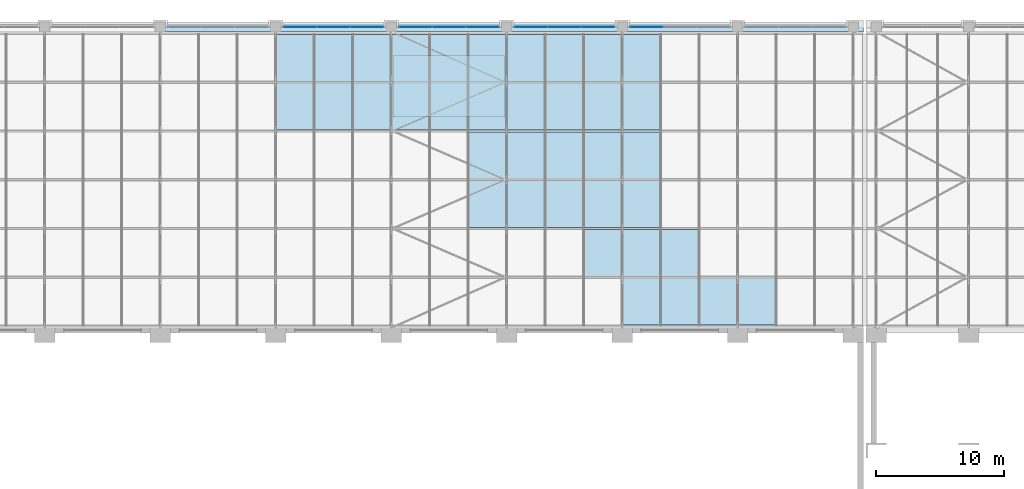
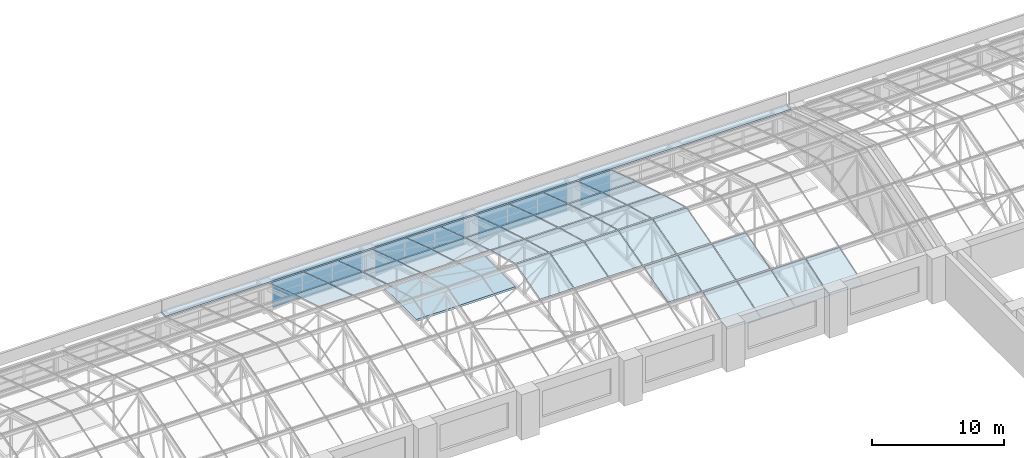
# One storey, part 49 of 82: 57 plates, 2 slabs, 5 elements without a shape of their own.
"""IFC4 building model written with IfcOpenShell, lengths in metres."""

from ifc_helpers import new_model, si_unit, direction, frame, origin, origin_2d, place, context, subcontext, project, spatial, polyline, rectangle, outline, extrude, material, layer, layer_set, type_object, element, aggregate, save


model = new_model("IFC4")

# Units and contexts
model_context = context("Model", 3, precision=1e-05, world=origin(), true_north=direction((0.0, 1.0)))
body_context = subcontext(model_context, "Body", "Model", "MODEL_VIEW")
ifc_project = project(units=[si_unit("LENGTHUNIT", "METRE"), si_unit("AREAUNIT", "SQUARE_METRE"), si_unit("VOLUMEUNIT", "CUBIC_METRE"), si_unit("PLANEANGLEUNIT", "RADIAN"), si_unit("MASSUNIT", "GRAM", prefix="KILO")], contexts=[model_context])

# Site, building, storey
site_placement = place(None, origin())
site = spatial("IfcSite", under=ifc_project, at=site_placement, CompositionType="ELEMENT")
building_placement = place(site_placement, origin())
building = spatial("IfcBuilding", under=site, at=building_placement, Name="Aravalli Gate Trade Fair Centre", CompositionType="ELEMENT")
storey_placement = place(building_placement, frame((0.0, 0.0, 19.199951171875)))
storey = spatial("IfcBuildingStorey", under=building, at=storey_placement, Name="L04", CompositionType="ELEMENT", Elevation=19.199951171875)

# Slabs
ifc_material_1 = material(Name="Concrete M40", Category="concrete")
ifc_layer_1 = layer(ifc_material_1, 0.199951171875)
ifc_layer_set_1 = layer_set([ifc_layer_1], Name="Concrete M40")
slab_type_1 = type_object("IfcSlabType", Name="Concourse core cover slab 200", PredefinedType="ROOF", material=ifc_layer_set_1)
slab_1_placement = place(storey_placement, origin())
element("IfcSlab", 1, at=slab_1_placement, inside=storey, type_object=slab_type_1, Name="Core cover slab XC", PredefinedType="ROOF", context=body_context, shape_type="SweptSolid", body=[
    extrude(outline(polyline([(69.14990234375, 126.0), (77.85009765625, 126.0), (77.85009765625, 130.800048828125), (69.14990234375, 130.800048828125), (69.14990234375, 126.0)])), origin(), (0.0, 0.0, 1.0), 0.199951171875),
])
ifc_material_2 = material(Name="Concrete M30", Category="concrete")
ifc_layer_2 = layer(ifc_material_2, 0.1201171875, Name="Concrete topping")
ifc_material_3 = material(Name="Steel E350", Category="steel")
ifc_layer_3 = layer(ifc_material_3, 0.030029296875, Name="Profiled deck sheet")
ifc_layer_set_2 = layer_set([ifc_layer_2, ifc_layer_3], Name="Concourse roof deck 150")
slab_type_2 = type_object("IfcSlabType", Name="Concourse roof deck 150", PredefinedType="ROOF", material=ifc_layer_set_2)
slab_2_placement = place(storey_placement, frame((0.0, 0.0, 2.699951171875)))
element("IfcSlab", 2, at=slab_2_placement, inside=storey, type_object=slab_type_2, Name="Concourse eaves deck 2", PredefinedType="ROOF", context=body_context, shape_type="SweptSolid", body=[
    extrude(outline(polyline([(105.800048828125, 133.39990234375), (51.02001953125, 133.39990234375), (51.02001953125, 132.60009765625), (105.800048828125, 132.60009765625), (105.800048828125, 133.39990234375)])), origin(), (0.0, 0.0, 1.0), 0.150146484375),
])

# Curtain wall, plates
ifc_material_4 = material(Name="Aluminium and glass", Category="aluminium")
curtain_wall_type_1 = type_object("IfcCurtainWallType", Name="Curtain wall 3000 module", PredefinedType="NOTDEFINED", material=ifc_material_4)
curtain_wall_1_placement = place(storey_placement, origin())
curtain_wall_1 = element("IfcCurtainWall", 3, at=curtain_wall_1_placement, inside=storey, type_object=curtain_wall_type_1, Name="Curtain wall north bay 7 L04", PredefinedType="NOTDEFINED")
ifc_material_5 = material(Name="Glass, double glazed", Category="glass")
ifc_layer_4 = layer(ifc_material_5, 0.028076171875)
ifc_layer_set_3 = layer_set([ifc_layer_4], Name="Glass, double glazed")
plate_type_1 = type_object("IfcPlateType", Name="Curtain wall panel, double glazed 28", PredefinedType="CURTAIN_PANEL", material=ifc_layer_set_3)
plate_1_placement = place(storey_placement, frame((61.881591796875, 133.0, 0.06005859375), z_axis=(0.0, 0.0, 1.0), x_axis=(1.0, 0.0, 0.0)))
plate_1 = element("IfcPlate", 4, at=plate_1_placement, type_object=plate_type_1, Name="CW1 panel 1.1", PredefinedType="CURTAIN_PANEL", context=body_context, shape_type="SweptSolid", body=[
    extrude(rectangle(XDim=2.543212890625, YDim=0.028076171875, at=origin_2d()), origin(), (0.0, 0.0, 1.0), 1.260009765625),
])
plate_2_placement = place(storey_placement, frame((61.881591796875, 133.0, 1.3798828125), z_axis=(0.0, 0.0, 1.0), x_axis=(1.0, 0.0, 0.0)))
plate_2 = element("IfcPlate", 5, at=plate_2_placement, type_object=plate_type_1, Name="CW1 panel 1.2", PredefinedType="CURTAIN_PANEL", context=body_context, shape_type="SweptSolid", body=[
    extrude(rectangle(XDim=2.543212890625, YDim=0.028076171875, at=origin_2d()), origin(), (0.0, 0.0, 1.0), 1.260009765625),
])
plate_3_placement = place(storey_placement, frame((64.5, 133.0, 0.06005859375), z_axis=(0.0, 0.0, 1.0), x_axis=(1.0, 0.0, 0.0)))
plate_3 = element("IfcPlate", 6, at=plate_3_placement, type_object=plate_type_1, Name="CW1 panel 2.1", PredefinedType="CURTAIN_PANEL", context=body_context, shape_type="SweptSolid", body=[
    extrude(rectangle(XDim=2.5732421875, YDim=0.028076171875, at=origin_2d()), origin(), (0.0, 0.0, 1.0), 1.260009765625),
])
plate_4_placement = place(storey_placement, frame((64.5, 133.0, 1.3798828125), z_axis=(0.0, 0.0, 1.0), x_axis=(1.0, 0.0, 0.0)))
plate_4 = element("IfcPlate", 7, at=plate_4_placement, type_object=plate_type_1, Name="CW1 panel 2.2", PredefinedType="CURTAIN_PANEL", context=body_context, shape_type="SweptSolid", body=[
    extrude(rectangle(XDim=2.5732421875, YDim=0.028076171875, at=origin_2d()), origin(), (0.0, 0.0, 1.0), 1.260009765625),
])
plate_5_placement = place(storey_placement, frame((67.118408203125, 133.0, 0.06005859375), z_axis=(0.0, 0.0, 1.0), x_axis=(1.0, 0.0, 0.0)))
plate_5 = element("IfcPlate", 8, at=plate_5_placement, type_object=plate_type_1, Name="CW1 panel 3.1", PredefinedType="CURTAIN_PANEL", context=body_context, shape_type="SweptSolid", body=[
    extrude(rectangle(XDim=2.543212890625, YDim=0.028076171875, at=origin_2d()), origin(), (0.0, 0.0, 1.0), 1.260009765625),
])
plate_6_placement = place(storey_placement, frame((67.118408203125, 133.0, 1.3798828125), z_axis=(0.0, 0.0, 1.0), x_axis=(1.0, 0.0, 0.0)))
plate_6 = element("IfcPlate", 9, at=plate_6_placement, type_object=plate_type_1, Name="CW1 panel 3.2", PredefinedType="CURTAIN_PANEL", context=body_context, shape_type="SweptSolid", body=[
    extrude(rectangle(XDim=2.543212890625, YDim=0.028076171875, at=origin_2d()), origin(), (0.0, 0.0, 1.0), 1.260009765625),
])
aggregate(curtain_wall_1, [plate_1, plate_2, plate_3, plate_4, plate_5, plate_6])

curtain_wall_2_placement = place(storey_placement, origin())
curtain_wall_2 = element("IfcCurtainWall", 10, at=curtain_wall_2_placement, inside=storey, type_object=curtain_wall_type_1, Name="Curtain wall north bay 8 L04", PredefinedType="NOTDEFINED")
plate_7_placement = place(storey_placement, frame((70.881591796875, 133.0, 0.06005859375), z_axis=(0.0, 0.0, 1.0), x_axis=(1.0, 0.0, 0.0)))
plate_7 = element("IfcPlate", 11, at=plate_7_placement, type_object=plate_type_1, Name="CW1 panel 1.1", PredefinedType="CURTAIN_PANEL", context=body_context, shape_type="SweptSolid", body=[
    extrude(rectangle(XDim=2.543212890625, YDim=0.028076171875, at=origin_2d()), origin(), (0.0, 0.0, 1.0), 1.260009765625),
])
plate_8_placement = place(storey_placement, frame((70.881591796875, 133.0, 1.3798828125), z_axis=(0.0, 0.0, 1.0), x_axis=(1.0, 0.0, 0.0)))
plate_8 = element("IfcPlate", 12, at=plate_8_placement, type_object=plate_type_1, Name="CW1 panel 1.2", PredefinedType="CURTAIN_PANEL", context=body_context, shape_type="SweptSolid", body=[
    extrude(rectangle(XDim=2.543212890625, YDim=0.028076171875, at=origin_2d()), origin(), (0.0, 0.0, 1.0), 1.260009765625),
])
plate_9_placement = place(storey_placement, frame((73.5, 133.0, 0.06005859375), z_axis=(0.0, 0.0, 1.0), x_axis=(1.0, 0.0, 0.0)))
plate_9 = element("IfcPlate", 13, at=plate_9_placement, type_object=plate_type_1, Name="CW1 panel 2.1", PredefinedType="CURTAIN_PANEL", context=body_context, shape_type="SweptSolid", body=[
    extrude(rectangle(XDim=2.5732421875, YDim=0.028076171875, at=origin_2d()), origin(), (0.0, 0.0, 1.0), 1.260009765625),
])
plate_10_placement = place(storey_placement, frame((73.5, 133.0, 1.3798828125), z_axis=(0.0, 0.0, 1.0), x_axis=(1.0, 0.0, 0.0)))
plate_10 = element("IfcPlate", 14, at=plate_10_placement, type_object=plate_type_1, Name="CW1 panel 2.2", PredefinedType="CURTAIN_PANEL", context=body_context, shape_type="SweptSolid", body=[
    extrude(rectangle(XDim=2.5732421875, YDim=0.028076171875, at=origin_2d()), origin(), (0.0, 0.0, 1.0), 1.260009765625),
])
plate_11_placement = place(storey_placement, frame((76.118408203125, 133.0, 0.06005859375), z_axis=(0.0, 0.0, 1.0), x_axis=(1.0, 0.0, 0.0)))
plate_11 = element("IfcPlate", 15, at=plate_11_placement, type_object=plate_type_1, Name="CW1 panel 3.1", PredefinedType="CURTAIN_PANEL", context=body_context, shape_type="SweptSolid", body=[
    extrude(rectangle(XDim=2.543212890625, YDim=0.028076171875, at=origin_2d()), origin(), (0.0, 0.0, 1.0), 1.260009765625),
])
plate_12_placement = place(storey_placement, frame((76.118408203125, 133.0, 1.3798828125), z_axis=(0.0, 0.0, 1.0), x_axis=(1.0, 0.0, 0.0)))
plate_12 = element("IfcPlate", 16, at=plate_12_placement, type_object=plate_type_1, Name="CW1 panel 3.2", PredefinedType="CURTAIN_PANEL", context=body_context, shape_type="SweptSolid", body=[
    extrude(rectangle(XDim=2.543212890625, YDim=0.028076171875, at=origin_2d()), origin(), (0.0, 0.0, 1.0), 1.260009765625),
])
aggregate(curtain_wall_2, [plate_7, plate_8, plate_9, plate_10, plate_11, plate_12])

curtain_wall_3_placement = place(storey_placement, origin())
curtain_wall_3 = element("IfcCurtainWall", 17, at=curtain_wall_3_placement, inside=storey, type_object=curtain_wall_type_1, Name="Curtain wall north bay 9 L04", PredefinedType="NOTDEFINED")
plate_13_placement = place(storey_placement, frame((79.881591796875, 133.0, 0.06005859375), z_axis=(0.0, 0.0, 1.0), x_axis=(1.0, 0.0, 0.0)))
plate_13 = element("IfcPlate", 18, at=plate_13_placement, type_object=plate_type_1, Name="CW1 panel 1.1", PredefinedType="CURTAIN_PANEL", context=body_context, shape_type="SweptSolid", body=[
    extrude(rectangle(XDim=2.543212890625, YDim=0.028076171875, at=origin_2d()), origin(), (0.0, 0.0, 1.0), 1.260009765625),
])
plate_14_placement = place(storey_placement, frame((79.881591796875, 133.0, 1.3798828125), z_axis=(0.0, 0.0, 1.0), x_axis=(1.0, 0.0, 0.0)))
plate_14 = element("IfcPlate", 19, at=plate_14_placement, type_object=plate_type_1, Name="CW1 panel 1.2", PredefinedType="CURTAIN_PANEL", context=body_context, shape_type="SweptSolid", body=[
    extrude(rectangle(XDim=2.543212890625, YDim=0.028076171875, at=origin_2d()), origin(), (0.0, 0.0, 1.0), 1.260009765625),
])
plate_15_placement = place(storey_placement, frame((82.5, 133.0, 0.06005859375), z_axis=(0.0, 0.0, 1.0), x_axis=(1.0, 0.0, 0.0)))
plate_15 = element("IfcPlate", 20, at=plate_15_placement, type_object=plate_type_1, Name="CW1 panel 2.1", PredefinedType="CURTAIN_PANEL", context=body_context, shape_type="SweptSolid", body=[
    extrude(rectangle(XDim=2.5732421875, YDim=0.028076171875, at=origin_2d()), origin(), (0.0, 0.0, 1.0), 1.260009765625),
])
plate_16_placement = place(storey_placement, frame((82.5, 133.0, 1.3798828125), z_axis=(0.0, 0.0, 1.0), x_axis=(1.0, 0.0, 0.0)))
plate_16 = element("IfcPlate", 21, at=plate_16_placement, type_object=plate_type_1, Name="CW1 panel 2.2", PredefinedType="CURTAIN_PANEL", context=body_context, shape_type="SweptSolid", body=[
    extrude(rectangle(XDim=2.5732421875, YDim=0.028076171875, at=origin_2d()), origin(), (0.0, 0.0, 1.0), 1.260009765625),
])
plate_17_placement = place(storey_placement, frame((85.118408203125, 133.0, 0.06005859375), z_axis=(0.0, 0.0, 1.0), x_axis=(1.0, 0.0, 0.0)))
plate_17 = element("IfcPlate", 22, at=plate_17_placement, type_object=plate_type_1, Name="CW1 panel 3.1", PredefinedType="CURTAIN_PANEL", context=body_context, shape_type="SweptSolid", body=[
    extrude(rectangle(XDim=2.543212890625, YDim=0.028076171875, at=origin_2d()), origin(), (0.0, 0.0, 1.0), 1.260009765625),
])
plate_18_placement = place(storey_placement, frame((85.118408203125, 133.0, 1.3798828125), z_axis=(0.0, 0.0, 1.0), x_axis=(1.0, 0.0, 0.0)))
plate_18 = element("IfcPlate", 23, at=plate_18_placement, type_object=plate_type_1, Name="CW1 panel 3.2", PredefinedType="CURTAIN_PANEL", context=body_context, shape_type="SweptSolid", body=[
    extrude(rectangle(XDim=2.543212890625, YDim=0.028076171875, at=origin_2d()), origin(), (0.0, 0.0, 1.0), 1.260009765625),
])
aggregate(curtain_wall_3, [plate_13, plate_14, plate_15, plate_16, plate_17, plate_18])

curtain_wall_4_placement = place(storey_placement, origin())
curtain_wall_4 = element("IfcCurtainWall", 24, at=curtain_wall_4_placement, inside=storey, type_object=curtain_wall_type_1, Name="Curtain wall north bay 10 L04", PredefinedType="NOTDEFINED")
plate_19_placement = place(storey_placement, frame((88.881591796875, 133.0, 0.06005859375), z_axis=(0.0, 0.0, 1.0), x_axis=(1.0, 0.0, 0.0)))
plate_19 = element("IfcPlate", 25, at=plate_19_placement, type_object=plate_type_1, Name="CW1 panel 1.1", PredefinedType="CURTAIN_PANEL", context=body_context, shape_type="SweptSolid", body=[
    extrude(rectangle(XDim=2.543212890625, YDim=0.028076171875, at=origin_2d()), origin(), (0.0, 0.0, 1.0), 1.260009765625),
])
plate_20_placement = place(storey_placement, frame((88.881591796875, 133.0, 1.3798828125), z_axis=(0.0, 0.0, 1.0), x_axis=(1.0, 0.0, 0.0)))
plate_20 = element("IfcPlate", 26, at=plate_20_placement, type_object=plate_type_1, Name="CW1 panel 1.2", PredefinedType="CURTAIN_PANEL", context=body_context, shape_type="SweptSolid", body=[
    extrude(rectangle(XDim=2.543212890625, YDim=0.028076171875, at=origin_2d()), origin(), (0.0, 0.0, 1.0), 1.260009765625),
])
aggregate(curtain_wall_4, [plate_19, plate_20])

curtain_wall_type_2 = type_object("IfcCurtainWallType", Name="Vault curtain wall, sloped glazing", PredefinedType="NOTDEFINED", material=ifc_material_4)
curtain_wall_5_placement = place(storey_placement, origin())
curtain_wall_5 = element("IfcCurtainWall", 27, at=curtain_wall_5_placement, inside=storey, type_object=curtain_wall_type_2, Name="Vault curtain wall w", PredefinedType="NOTDEFINED")
ifc_material_6 = material(Name="Glass, laminated double glazed", Category="glass")
ifc_layer_5 = layer(ifc_material_6, 0.028076171875)
ifc_layer_set_4 = layer_set([ifc_layer_5], Name="Glass, laminated double glazed")
plate_type_2 = type_object("IfcPlateType", Name="Vault glazing panel, facet class 1", PredefinedType="CURTAIN_PANEL", material=ifc_layer_set_4)
plate_21_placement = place(storey_placement, frame((60.030029296875, 128.77001953125, 4.0771484375), z_axis=(0.0, 0.312518472278, 0.949911682466), x_axis=(1.0, 0.0, 0.0)))
plate_21 = element("IfcPlate", 28, at=plate_21_placement, type_object=plate_type_2, Name="Vault glazing w16.6", PredefinedType="CURTAIN_PANEL", context=body_context, shape_type="SweptSolid", body=[
    extrude(outline(polyline([(0.0, 0.0), (2.93994140625, 0.0), (2.93994140625, 3.852897250273449), (0.0, 3.852897250273449), (0.0, 0.0)])), origin(), (0.0, 0.0, -1.0), 0.028076171875),
])
plate_22_placement = place(storey_placement, frame((63.030029296875, 128.77001953125, 4.0771484375), z_axis=(0.0, 0.312518472278, 0.949911682466), x_axis=(1.0, 0.0, 0.0)))
plate_22 = element("IfcPlate", 29, at=plate_22_placement, type_object=plate_type_2, Name="Vault glazing w17.6", PredefinedType="CURTAIN_PANEL", context=body_context, shape_type="SweptSolid", body=[
    extrude(outline(polyline([(0.0, 0.0), (2.93994140625, 0.0), (2.93994140625, 3.852897250273449), (0.0, 3.852897250273449), (0.0, 0.0)])), origin(), (0.0, 0.0, -1.0), 0.028076171875),
])
plate_23_placement = place(storey_placement, frame((66.030029296875, 128.77001953125, 4.0771484375), z_axis=(0.0, 0.312518472278, 0.949911682466), x_axis=(1.0, 0.0, 0.0)))
plate_23 = element("IfcPlate", 30, at=plate_23_placement, type_object=plate_type_2, Name="Vault glazing w18.6", PredefinedType="CURTAIN_PANEL", context=body_context, shape_type="SweptSolid", body=[
    extrude(outline(polyline([(0.0, 0.0), (2.93994140625, 0.0), (2.93994140625, 3.852897250273449), (0.0, 3.852897250273449), (0.0, 0.0)])), origin(), (0.0, 0.0, -1.0), 0.028076171875),
])
plate_24_placement = place(storey_placement, frame((69.030029296875, 128.77001953125, 4.0771484375), z_axis=(0.0, 0.312518472278, 0.949911682466), x_axis=(1.0, 0.0, 0.0)))
plate_24 = element("IfcPlate", 31, at=plate_24_placement, type_object=plate_type_2, Name="Vault glazing w19.6", PredefinedType="CURTAIN_PANEL", context=body_context, shape_type="SweptSolid", body=[
    extrude(outline(polyline([(0.0, 0.0), (2.93994140625, 0.0), (2.93994140625, 3.852897250273449), (0.0, 3.852897250273449), (0.0, 0.0)])), origin(), (0.0, 0.0, -1.0), 0.028076171875),
])
plate_25_placement = place(storey_placement, frame((72.030029296875, 128.77001953125, 4.0771484375), z_axis=(0.0, 0.312518472278, 0.949911682466), x_axis=(1.0, 0.0, 0.0)))
plate_25 = element("IfcPlate", 32, at=plate_25_placement, type_object=plate_type_2, Name="Vault glazing w20.6", PredefinedType="CURTAIN_PANEL", context=body_context, shape_type="SweptSolid", body=[
    extrude(outline(polyline([(0.0, 0.0), (2.93994140625, 0.0), (2.93994140625, 3.852897250273449), (0.0, 3.852897250273449), (0.0, 0.0)])), origin(), (0.0, 0.0, -1.0), 0.028076171875),
])
plate_26_placement = place(storey_placement, frame((75.030029296875, 128.77001953125, 4.0771484375), z_axis=(0.0, 0.312518472278, 0.949911682466), x_axis=(1.0, 0.0, 0.0)))
plate_26 = element("IfcPlate", 33, at=plate_26_placement, type_object=plate_type_2, Name="Vault glazing w21.6", PredefinedType="CURTAIN_PANEL", context=body_context, shape_type="SweptSolid", body=[
    extrude(outline(polyline([(0.0, 0.0), (2.93994140625, 0.0), (2.93994140625, 3.852897250273449), (0.0, 3.852897250273449), (0.0, 0.0)])), origin(), (0.0, 0.0, -1.0), 0.028076171875),
])
plate_27_placement = place(storey_placement, frame((78.030029296875, 128.77001953125, 4.0771484375), z_axis=(0.0, 0.312518472278, 0.949911682466), x_axis=(1.0, 0.0, 0.0)))
plate_27 = element("IfcPlate", 34, at=plate_27_placement, type_object=plate_type_2, Name="Vault glazing w22.6", PredefinedType="CURTAIN_PANEL", context=body_context, shape_type="SweptSolid", body=[
    extrude(outline(polyline([(0.0, 0.0), (2.93994140625, 0.0), (2.93994140625, 3.852897250273449), (0.0, 3.852897250273449), (0.0, 0.0)])), origin(), (0.0, 0.0, -1.0), 0.028076171875),
])
plate_28_placement = place(storey_placement, frame((81.030029296875, 128.77001953125, 4.0771484375), z_axis=(0.0, 0.312518472278, 0.949911682466), x_axis=(1.0, 0.0, 0.0)))
plate_28 = element("IfcPlate", 35, at=plate_28_placement, type_object=plate_type_2, Name="Vault glazing w23.6", PredefinedType="CURTAIN_PANEL", context=body_context, shape_type="SweptSolid", body=[
    extrude(outline(polyline([(0.0, 0.0), (2.93994140625, 0.0), (2.93994140625, 3.852897250273449), (0.0, 3.852897250273449), (0.0, 0.0)])), origin(), (0.0, 0.0, -1.0), 0.028076171875),
])
plate_29_placement = place(storey_placement, frame((84.030029296875, 128.77001953125, 4.0771484375), z_axis=(0.0, 0.312518472278, 0.949911682466), x_axis=(1.0, 0.0, 0.0)))
plate_29 = element("IfcPlate", 36, at=plate_29_placement, type_object=plate_type_2, Name="Vault glazing w24.6", PredefinedType="CURTAIN_PANEL", context=body_context, shape_type="SweptSolid", body=[
    extrude(outline(polyline([(0.0, 0.0), (2.93994140625, 0.0), (2.93994140625, 3.852897250273449), (0.0, 3.852897250273449), (0.0, 0.0)])), origin(), (0.0, 0.0, -1.0), 0.028076171875),
])
plate_30_placement = place(storey_placement, frame((87.030029296875, 109.77001953125, 2.873046875), z_axis=(0.0, -0.312518472278, 0.949911682466), x_axis=(1.0, 0.0, 0.0)))
plate_30 = element("IfcPlate", 37, at=plate_30_placement, type_object=plate_type_2, Name="Vault glazing w25.1", PredefinedType="CURTAIN_PANEL", context=body_context, shape_type="SweptSolid", body=[
    extrude(outline(polyline([(0.0, 0.0), (2.93994140625, 0.0), (2.93994140625, 3.852897250273449), (0.0, 3.852897250273449), (0.0, 0.0)])), origin(), (0.0, 0.0, -1.0), 0.028076171875),
])
plate_31_placement = place(storey_placement, frame((87.030029296875, 128.77001953125, 4.0771484375), z_axis=(0.0, 0.312518472278, 0.949911682466), x_axis=(1.0, 0.0, 0.0)))
plate_31 = element("IfcPlate", 38, at=plate_31_placement, type_object=plate_type_2, Name="Vault glazing w25.6", PredefinedType="CURTAIN_PANEL", context=body_context, shape_type="SweptSolid", body=[
    extrude(outline(polyline([(0.0, 0.0), (2.93994140625, 0.0), (2.93994140625, 3.852897250273449), (0.0, 3.852897250273449), (0.0, 0.0)])), origin(), (0.0, 0.0, -1.0), 0.028076171875),
])
plate_32_placement = place(storey_placement, frame((90.030029296875, 109.77001953125, 2.873046875), z_axis=(0.0, -0.312518472278, 0.949911682466), x_axis=(1.0, 0.0, 0.0)))
plate_32 = element("IfcPlate", 39, at=plate_32_placement, type_object=plate_type_2, Name="Vault glazing w26.1", PredefinedType="CURTAIN_PANEL", context=body_context, shape_type="SweptSolid", body=[
    extrude(outline(polyline([(0.0, 0.0), (2.93994140625, 0.0), (2.93994140625, 3.852897250273449), (0.0, 3.852897250273449), (0.0, 0.0)])), origin(), (0.0, 0.0, -1.0), 0.028076171875),
])
plate_33_placement = place(storey_placement, frame((93.030029296875, 109.77001953125, 2.873046875), z_axis=(0.0, -0.312518472278, 0.949911682466), x_axis=(1.0, 0.0, 0.0)))
plate_33 = element("IfcPlate", 40, at=plate_33_placement, type_object=plate_type_2, Name="Vault glazing w27.1", PredefinedType="CURTAIN_PANEL", context=body_context, shape_type="SweptSolid", body=[
    extrude(outline(polyline([(0.0, 0.0), (2.93994140625, 0.0), (2.93994140625, 3.852897250273449), (0.0, 3.852897250273449), (0.0, 0.0)])), origin(), (0.0, 0.0, -1.0), 0.028076171875),
])
plate_34_placement = place(storey_placement, frame((96.030029296875, 109.77001953125, 2.873046875), z_axis=(0.0, -0.312518472278, 0.949911682466), x_axis=(1.0, 0.0, 0.0)))
plate_34 = element("IfcPlate", 41, at=plate_34_placement, type_object=plate_type_2, Name="Vault glazing w28.1", PredefinedType="CURTAIN_PANEL", context=body_context, shape_type="SweptSolid", body=[
    extrude(outline(polyline([(0.0, 0.0), (2.93994140625, 0.0), (2.93994140625, 3.852897250273449), (0.0, 3.852897250273449), (0.0, 0.0)])), origin(), (0.0, 0.0, -1.0), 0.028076171875),
])
ifc_layer_6 = layer(ifc_material_6, 0.028076171875)
ifc_layer_set_5 = layer_set([ifc_layer_6], Name="Glass, laminated double glazed")
plate_type_3 = type_object("IfcPlateType", Name="Vault glazing panel, facet class 2", PredefinedType="CURTAIN_PANEL", material=ifc_layer_set_5)
plate_35_placement = place(storey_placement, frame((60.030029296875, 124.969970703125, 5.228759765625), z_axis=(0.0, 0.289613973345, 0.957143534922), x_axis=(1.0, 0.0, 0.0)))
plate_35 = element("IfcPlate", 42, at=plate_35_placement, type_object=plate_type_3, Name="Vault glazing w16.5", PredefinedType="CURTAIN_PANEL", context=body_context, shape_type="SweptSolid", body=[
    extrude(outline(polyline([(0.0, 0.0), (2.93994140625, 0.0), (2.93994140625, 3.8237860632595906), (0.0, 3.8237860632595906), (0.0, 0.0)])), origin(), (0.0, 0.0, -1.0), 0.028076171875),
])
plate_36_placement = place(storey_placement, frame((63.030029296875, 124.969970703125, 5.228759765625), z_axis=(0.0, 0.289613973345, 0.957143534922), x_axis=(1.0, 0.0, 0.0)))
plate_36 = element("IfcPlate", 43, at=plate_36_placement, type_object=plate_type_3, Name="Vault glazing w17.5", PredefinedType="CURTAIN_PANEL", context=body_context, shape_type="SweptSolid", body=[
    extrude(outline(polyline([(0.0, 0.0), (2.93994140625, 0.0), (2.93994140625, 3.8237860632595906), (0.0, 3.8237860632595906), (0.0, 0.0)])), origin(), (0.0, 0.0, -1.0), 0.028076171875),
])
plate_37_placement = place(storey_placement, frame((66.030029296875, 124.969970703125, 5.228759765625), z_axis=(0.0, 0.289613973345, 0.957143534922), x_axis=(1.0, 0.0, 0.0)))
plate_37 = element("IfcPlate", 44, at=plate_37_placement, type_object=plate_type_3, Name="Vault glazing w18.5", PredefinedType="CURTAIN_PANEL", context=body_context, shape_type="SweptSolid", body=[
    extrude(outline(polyline([(0.0, 0.0), (2.93994140625, 0.0), (2.93994140625, 3.8237860632595906), (0.0, 3.8237860632595906), (0.0, 0.0)])), origin(), (0.0, 0.0, -1.0), 0.028076171875),
])
plate_38_placement = place(storey_placement, frame((69.030029296875, 124.969970703125, 5.228759765625), z_axis=(0.0, 0.289613973345, 0.957143534922), x_axis=(1.0, 0.0, 0.0)))
plate_38 = element("IfcPlate", 45, at=plate_38_placement, type_object=plate_type_3, Name="Vault glazing w19.5", PredefinedType="CURTAIN_PANEL", context=body_context, shape_type="SweptSolid", body=[
    extrude(outline(polyline([(0.0, 0.0), (2.93994140625, 0.0), (2.93994140625, 3.8237860632595906), (0.0, 3.8237860632595906), (0.0, 0.0)])), origin(), (0.0, 0.0, -1.0), 0.028076171875),
])
plate_39_placement = place(storey_placement, frame((72.030029296875, 124.969970703125, 5.228759765625), z_axis=(0.0, 0.289613973345, 0.957143534922), x_axis=(1.0, 0.0, 0.0)))
plate_39 = element("IfcPlate", 46, at=plate_39_placement, type_object=plate_type_3, Name="Vault glazing w20.5", PredefinedType="CURTAIN_PANEL", context=body_context, shape_type="SweptSolid", body=[
    extrude(outline(polyline([(0.0, 0.0), (2.93994140625, 0.0), (2.93994140625, 3.8237860632595906), (0.0, 3.8237860632595906), (0.0, 0.0)])), origin(), (0.0, 0.0, -1.0), 0.028076171875),
])
plate_40_placement = place(storey_placement, frame((75.030029296875, 124.969970703125, 5.228759765625), z_axis=(0.0, 0.289613973345, 0.957143534922), x_axis=(1.0, 0.0, 0.0)))
plate_40 = element("IfcPlate", 47, at=plate_40_placement, type_object=plate_type_3, Name="Vault glazing w21.5", PredefinedType="CURTAIN_PANEL", context=body_context, shape_type="SweptSolid", body=[
    extrude(outline(polyline([(0.0, 0.0), (2.93994140625, 0.0), (2.93994140625, 3.8237860632595906), (0.0, 3.8237860632595906), (0.0, 0.0)])), origin(), (0.0, 0.0, -1.0), 0.028076171875),
])
plate_41_placement = place(storey_placement, frame((78.030029296875, 124.969970703125, 5.228759765625), z_axis=(0.0, 0.289613973345, 0.957143534922), x_axis=(1.0, 0.0, 0.0)))
plate_41 = element("IfcPlate", 48, at=plate_41_placement, type_object=plate_type_3, Name="Vault glazing w22.5", PredefinedType="CURTAIN_PANEL", context=body_context, shape_type="SweptSolid", body=[
    extrude(outline(polyline([(0.0, 0.0), (2.93994140625, 0.0), (2.93994140625, 3.8237860632595906), (0.0, 3.8237860632595906), (0.0, 0.0)])), origin(), (0.0, 0.0, -1.0), 0.028076171875),
])
plate_42_placement = place(storey_placement, frame((81.030029296875, 124.969970703125, 5.228759765625), z_axis=(0.0, 0.289613973345, 0.957143534922), x_axis=(1.0, 0.0, 0.0)))
plate_42 = element("IfcPlate", 49, at=plate_42_placement, type_object=plate_type_3, Name="Vault glazing w23.5", PredefinedType="CURTAIN_PANEL", context=body_context, shape_type="SweptSolid", body=[
    extrude(outline(polyline([(0.0, 0.0), (2.93994140625, 0.0), (2.93994140625, 3.8237860632595906), (0.0, 3.8237860632595906), (0.0, 0.0)])), origin(), (0.0, 0.0, -1.0), 0.028076171875),
])
plate_43_placement = place(storey_placement, frame((84.030029296875, 113.570068359375, 4.121337890625), z_axis=(0.0, -0.289613973345, 0.957143534922), x_axis=(1.0, 0.0, 0.0)))
plate_43 = element("IfcPlate", 50, at=plate_43_placement, type_object=plate_type_3, Name="Vault glazing w24.2", PredefinedType="CURTAIN_PANEL", context=body_context, shape_type="SweptSolid", body=[
    extrude(outline(polyline([(0.0, 0.0), (2.93994140625, 0.0), (2.93994140625, 3.8237860632595906), (0.0, 3.8237860632595906), (0.0, 0.0)])), origin(), (0.0, 0.0, -1.0), 0.028076171875),
])
plate_44_placement = place(storey_placement, frame((84.030029296875, 124.969970703125, 5.228759765625), z_axis=(0.0, 0.289613973345, 0.957143534922), x_axis=(1.0, 0.0, 0.0)))
plate_44 = element("IfcPlate", 51, at=plate_44_placement, type_object=plate_type_3, Name="Vault glazing w24.5", PredefinedType="CURTAIN_PANEL", context=body_context, shape_type="SweptSolid", body=[
    extrude(outline(polyline([(0.0, 0.0), (2.93994140625, 0.0), (2.93994140625, 3.8237860632595906), (0.0, 3.8237860632595906), (0.0, 0.0)])), origin(), (0.0, 0.0, -1.0), 0.028076171875),
])
plate_45_placement = place(storey_placement, frame((87.030029296875, 113.570068359375, 4.121337890625), z_axis=(0.0, -0.289613973345, 0.957143534922), x_axis=(1.0, 0.0, 0.0)))
plate_45 = element("IfcPlate", 52, at=plate_45_placement, type_object=plate_type_3, Name="Vault glazing w25.2", PredefinedType="CURTAIN_PANEL", context=body_context, shape_type="SweptSolid", body=[
    extrude(outline(polyline([(0.0, 0.0), (2.93994140625, 0.0), (2.93994140625, 3.8237860632595906), (0.0, 3.8237860632595906), (0.0, 0.0)])), origin(), (0.0, 0.0, -1.0), 0.028076171875),
])
plate_46_placement = place(storey_placement, frame((87.030029296875, 124.969970703125, 5.228759765625), z_axis=(0.0, 0.289613973345, 0.957143534922), x_axis=(1.0, 0.0, 0.0)))
plate_46 = element("IfcPlate", 53, at=plate_46_placement, type_object=plate_type_3, Name="Vault glazing w25.5", PredefinedType="CURTAIN_PANEL", context=body_context, shape_type="SweptSolid", body=[
    extrude(outline(polyline([(0.0, 0.0), (2.93994140625, 0.0), (2.93994140625, 3.8237860632595906), (0.0, 3.8237860632595906), (0.0, 0.0)])), origin(), (0.0, 0.0, -1.0), 0.028076171875),
])
plate_47_placement = place(storey_placement, frame((90.030029296875, 113.570068359375, 4.121337890625), z_axis=(0.0, -0.289613973345, 0.957143534922), x_axis=(1.0, 0.0, 0.0)))
plate_47 = element("IfcPlate", 54, at=plate_47_placement, type_object=plate_type_3, Name="Vault glazing w26.2", PredefinedType="CURTAIN_PANEL", context=body_context, shape_type="SweptSolid", body=[
    extrude(outline(polyline([(0.0, 0.0), (2.93994140625, 0.0), (2.93994140625, 3.8237860632595906), (0.0, 3.8237860632595906), (0.0, 0.0)])), origin(), (0.0, 0.0, -1.0), 0.028076171875),
])
ifc_layer_7 = layer(ifc_material_6, 0.028076171875)
ifc_layer_set_6 = layer_set([ifc_layer_7], Name="Glass, laminated double glazed")
plate_type_4 = type_object("IfcPlateType", Name="Vault glazing panel, facet class 3", PredefinedType="CURTAIN_PANEL", material=ifc_layer_set_6)
plate_48_placement = place(storey_placement, frame((75.030029296875, 117.3701171875, 5.269287109375), z_axis=(0.0, -0.266380180859, 0.96386804037), x_axis=(1.0, 0.0, 0.0)))
plate_48 = element("IfcPlate", 55, at=plate_48_placement, type_object=plate_type_4, Name="Vault glazing w21.3", PredefinedType="CURTAIN_PANEL", context=body_context, shape_type="SweptSolid", body=[
    extrude(outline(polyline([(0.0, 0.0), (2.93994140625, 0.0), (2.93994140625, 3.7971091021670778), (0.0, 3.7971091021670778), (0.0, 0.0)])), origin(), (0.0, 0.0, -1.0), 0.028076171875),
])
plate_49_placement = place(storey_placement, frame((75.030029296875, 121.169921875, 6.28076171875), z_axis=(0.0, 0.266363673386, 0.963872602318), x_axis=(1.0, 0.0, 0.0)))
plate_49 = element("IfcPlate", 56, at=plate_49_placement, type_object=plate_type_4, Name="Vault glazing w21.4", PredefinedType="CURTAIN_PANEL", context=body_context, shape_type="SweptSolid", body=[
    extrude(outline(polyline([(0.0, 0.0), (2.93994140625, 0.0), (2.93994140625, 3.797344422069767), (0.0, 3.797344422069767), (0.0, 0.0)])), origin(), (0.0, 0.0, -1.0), 0.028076171875),
])
plate_50_placement = place(storey_placement, frame((78.030029296875, 117.3701171875, 5.269287109375), z_axis=(0.0, -0.266380180859, 0.96386804037), x_axis=(1.0, 0.0, 0.0)))
plate_50 = element("IfcPlate", 57, at=plate_50_placement, type_object=plate_type_4, Name="Vault glazing w22.3", PredefinedType="CURTAIN_PANEL", context=body_context, shape_type="SweptSolid", body=[
    extrude(outline(polyline([(0.0, 0.0), (2.93994140625, 0.0), (2.93994140625, 3.7971091021670778), (0.0, 3.7971091021670778), (0.0, 0.0)])), origin(), (0.0, 0.0, -1.0), 0.028076171875),
])
plate_51_placement = place(storey_placement, frame((78.030029296875, 121.169921875, 6.28076171875), z_axis=(0.0, 0.266363673386, 0.963872602318), x_axis=(1.0, 0.0, 0.0)))
plate_51 = element("IfcPlate", 58, at=plate_51_placement, type_object=plate_type_4, Name="Vault glazing w22.4", PredefinedType="CURTAIN_PANEL", context=body_context, shape_type="SweptSolid", body=[
    extrude(outline(polyline([(0.0, 0.0), (2.93994140625, 0.0), (2.93994140625, 3.797344422069767), (0.0, 3.797344422069767), (0.0, 0.0)])), origin(), (0.0, 0.0, -1.0), 0.028076171875),
])
plate_52_placement = place(storey_placement, frame((81.030029296875, 117.3701171875, 5.269287109375), z_axis=(0.0, -0.266380180859, 0.96386804037), x_axis=(1.0, 0.0, 0.0)))
plate_52 = element("IfcPlate", 59, at=plate_52_placement, type_object=plate_type_4, Name="Vault glazing w23.3", PredefinedType="CURTAIN_PANEL", context=body_context, shape_type="SweptSolid", body=[
    extrude(outline(polyline([(0.0, 0.0), (2.93994140625, 0.0), (2.93994140625, 3.7971091021670778), (0.0, 3.7971091021670778), (0.0, 0.0)])), origin(), (0.0, 0.0, -1.0), 0.028076171875),
])
plate_53_placement = place(storey_placement, frame((81.030029296875, 121.169921875, 6.28076171875), z_axis=(0.0, 0.266363673386, 0.963872602318), x_axis=(1.0, 0.0, 0.0)))
plate_53 = element("IfcPlate", 60, at=plate_53_placement, type_object=plate_type_4, Name="Vault glazing w23.4", PredefinedType="CURTAIN_PANEL", context=body_context, shape_type="SweptSolid", body=[
    extrude(outline(polyline([(0.0, 0.0), (2.93994140625, 0.0), (2.93994140625, 3.797344422069767), (0.0, 3.797344422069767), (0.0, 0.0)])), origin(), (0.0, 0.0, -1.0), 0.028076171875),
])
plate_54_placement = place(storey_placement, frame((84.030029296875, 117.3701171875, 5.269287109375), z_axis=(0.0, -0.266380180859, 0.96386804037), x_axis=(1.0, 0.0, 0.0)))
plate_54 = element("IfcPlate", 61, at=plate_54_placement, type_object=plate_type_4, Name="Vault glazing w24.3", PredefinedType="CURTAIN_PANEL", context=body_context, shape_type="SweptSolid", body=[
    extrude(outline(polyline([(0.0, 0.0), (2.93994140625, 0.0), (2.93994140625, 3.7971091021670778), (0.0, 3.7971091021670778), (0.0, 0.0)])), origin(), (0.0, 0.0, -1.0), 0.028076171875),
])
plate_55_placement = place(storey_placement, frame((84.030029296875, 121.169921875, 6.28076171875), z_axis=(0.0, 0.266363673386, 0.963872602318), x_axis=(1.0, 0.0, 0.0)))
plate_55 = element("IfcPlate", 62, at=plate_55_placement, type_object=plate_type_4, Name="Vault glazing w24.4", PredefinedType="CURTAIN_PANEL", context=body_context, shape_type="SweptSolid", body=[
    extrude(outline(polyline([(0.0, 0.0), (2.93994140625, 0.0), (2.93994140625, 3.797344422069767), (0.0, 3.797344422069767), (0.0, 0.0)])), origin(), (0.0, 0.0, -1.0), 0.028076171875),
])
plate_56_placement = place(storey_placement, frame((87.030029296875, 117.3701171875, 5.269287109375), z_axis=(0.0, -0.266380180859, 0.96386804037), x_axis=(1.0, 0.0, 0.0)))
plate_56 = element("IfcPlate", 63, at=plate_56_placement, type_object=plate_type_4, Name="Vault glazing w25.3", PredefinedType="CURTAIN_PANEL", context=body_context, shape_type="SweptSolid", body=[
    extrude(outline(polyline([(0.0, 0.0), (2.93994140625, 0.0), (2.93994140625, 3.7971091021670778), (0.0, 3.7971091021670778), (0.0, 0.0)])), origin(), (0.0, 0.0, -1.0), 0.028076171875),
])
plate_57_placement = place(storey_placement, frame((87.030029296875, 121.169921875, 6.28076171875), z_axis=(0.0, 0.266363673386, 0.963872602318), x_axis=(1.0, 0.0, 0.0)))
plate_57 = element("IfcPlate", 64, at=plate_57_placement, type_object=plate_type_4, Name="Vault glazing w25.4", PredefinedType="CURTAIN_PANEL", context=body_context, shape_type="SweptSolid", body=[
    extrude(outline(polyline([(0.0, 0.0), (2.93994140625, 0.0), (2.93994140625, 3.797344422069767), (0.0, 3.797344422069767), (0.0, 0.0)])), origin(), (0.0, 0.0, -1.0), 0.028076171875),
])
aggregate(curtain_wall_5, [plate_35, plate_21, plate_36, plate_22, plate_37, plate_23, plate_38, plate_24, plate_39, plate_25, plate_48, plate_49, plate_40, plate_26, plate_50, plate_51, plate_41, plate_27, plate_52, plate_53, plate_42, plate_28, plate_43, plate_54, plate_55, plate_44, plate_29, plate_30, plate_45, plate_56, plate_57, plate_46, plate_31, plate_32, plate_47, plate_33, plate_34])

save(model, "model.ifc")
